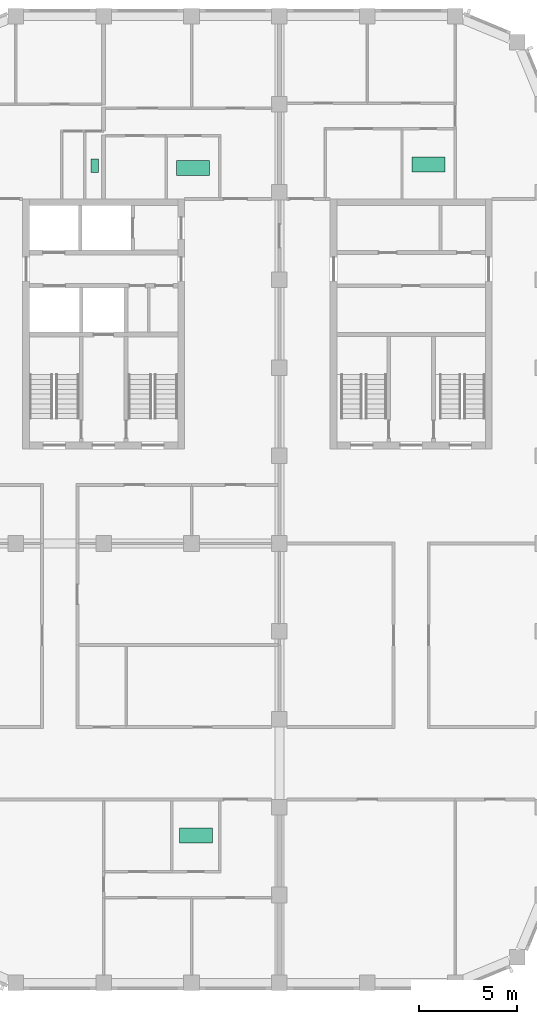
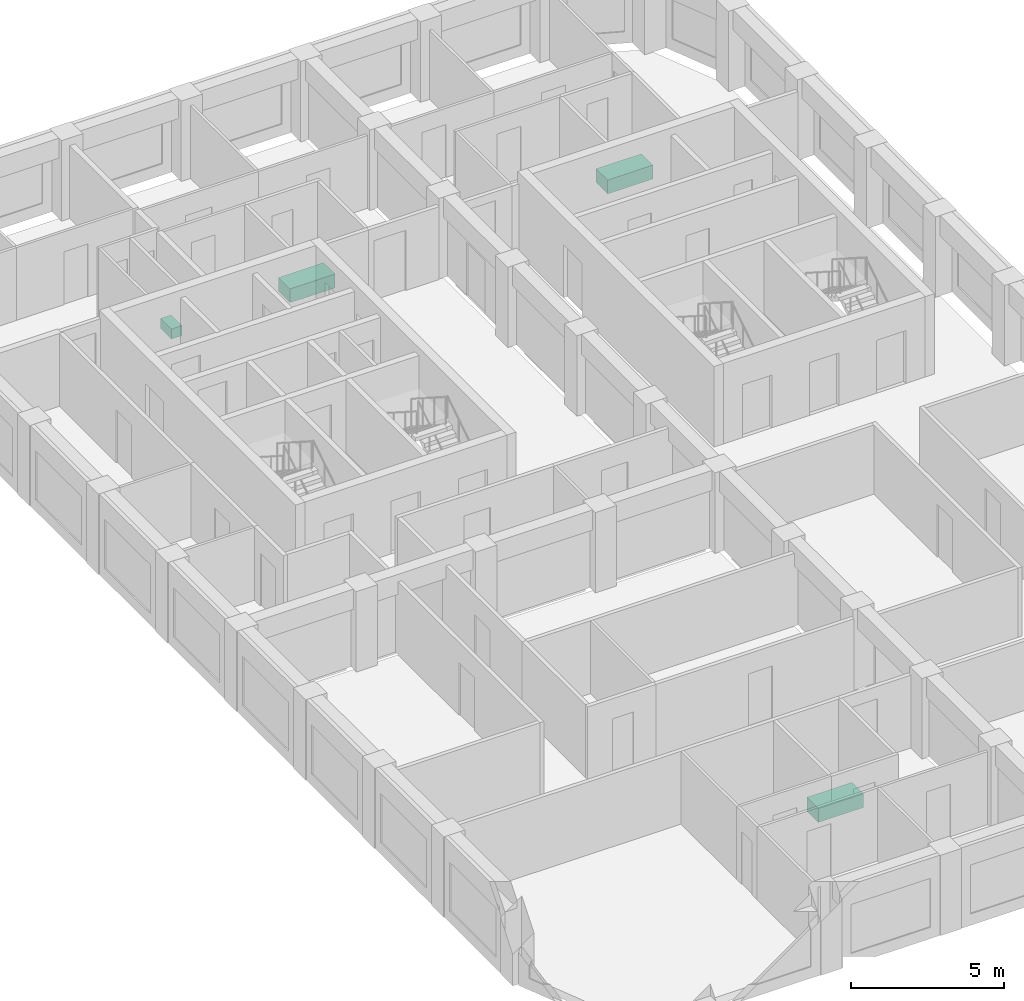
# One storey, part 9 of 9: 4 sanitary terminals.
"""IFC4 building model written with IfcOpenShell, lengths in metres."""

from ifc_helpers import new_model, si_unit, direction, frame, origin, origin_2d, place, context, subcontext, project, spatial, rectangle, extrude, material, type_object, element, save


model = new_model("IFC4")

# Units and contexts
model_context = context("Model", 3, precision=1e-05, world=origin(), true_north=direction((0.0, 1.0)))
body_context = subcontext(model_context, "Body", "Model", "MODEL_VIEW")
ifc_project = project(units=[si_unit("LENGTHUNIT", "METRE"), si_unit("AREAUNIT", "SQUARE_METRE"), si_unit("VOLUMEUNIT", "CUBIC_METRE"), si_unit("PLANEANGLEUNIT", "RADIAN"), si_unit("MASSUNIT", "GRAM", prefix="KILO")], contexts=[model_context])

# Site, building, storey
site_placement = place(None, origin())
site = spatial("IfcSite", under=ifc_project, at=site_placement, CompositionType="ELEMENT")
building_placement = place(site_placement, origin())
building = spatial("IfcBuilding", under=site, at=building_placement, Name="Girih Gate Residences", CompositionType="ELEMENT")
storey_placement = place(building_placement, frame((0.0, 0.0, 213.294921875)))
storey = spatial("IfcBuildingStorey", under=building, at=storey_placement, Name="L59", CompositionType="ELEMENT", Elevation=213.294921875)

# Sanitary terminals
ifc_material_1 = material(Name="Acrylic")
sanitary_terminal_type_1 = type_object("IfcSanitaryTerminalType", Name="Bath 1700", PredefinedType="BATH", material=ifc_material_1)
for number, where, z_axis, x_axis, name in (
    (1, (13.722900390625, 7.5439453125, 0.0), (0.0, 0.0, 1.0), (1.0, 0.0, 0.0), "Bath 1700 L59"),
    (2, (13.574951171875, 41.73388671875, 0.0), (0.0, 0.0, 1.0), (1.0, 0.0, 0.0), "Bath 1700 L59"),
    (3, (25.638916015625, 41.9140625, 0.0), (0.0, 0.0, 1.0), (1.0, 0.0, 0.0), "Bath 1700 L59"),
):
    element("IfcSanitaryTerminal", number, at=place(storey_placement, frame(where, z_axis=z_axis, x_axis=x_axis)), inside=storey, type_object=sanitary_terminal_type_1, Name=name, PredefinedType="BATH", context=body_context, shape_type="SweptSolid", body=[
        extrude(rectangle(XDim=1.699951171875, YDim=0.75, at=origin_2d()), origin(), (0.0, 0.0, 1.0), 0.550048828125),
    ])
ifc_material_2 = material(Name="Vitreous china")
sanitary_terminal_type_2 = type_object("IfcSanitaryTerminalType", Name="WC pan", PredefinedType="TOILETPAN", material=ifc_material_2)
sanitary_terminal_placement = place(storey_placement, frame((8.54296875, 41.85400390625, 0.000244140625), z_axis=(0.0, 0.0, 1.0), x_axis=(1.0, 0.0, 0.0)))
element("IfcSanitaryTerminal", 4, at=sanitary_terminal_placement, inside=storey, type_object=sanitary_terminal_type_2, Name="WC pan L59", PredefinedType="TOILETPAN", context=body_context, shape_type="SweptSolid", body=[
    extrude(rectangle(XDim=0.39990234375, YDim=0.699951171875, at=origin_2d()), origin(), (0.0, 0.0, 1.0), 0.39990234375),
])

save(model, "model.ifc")
